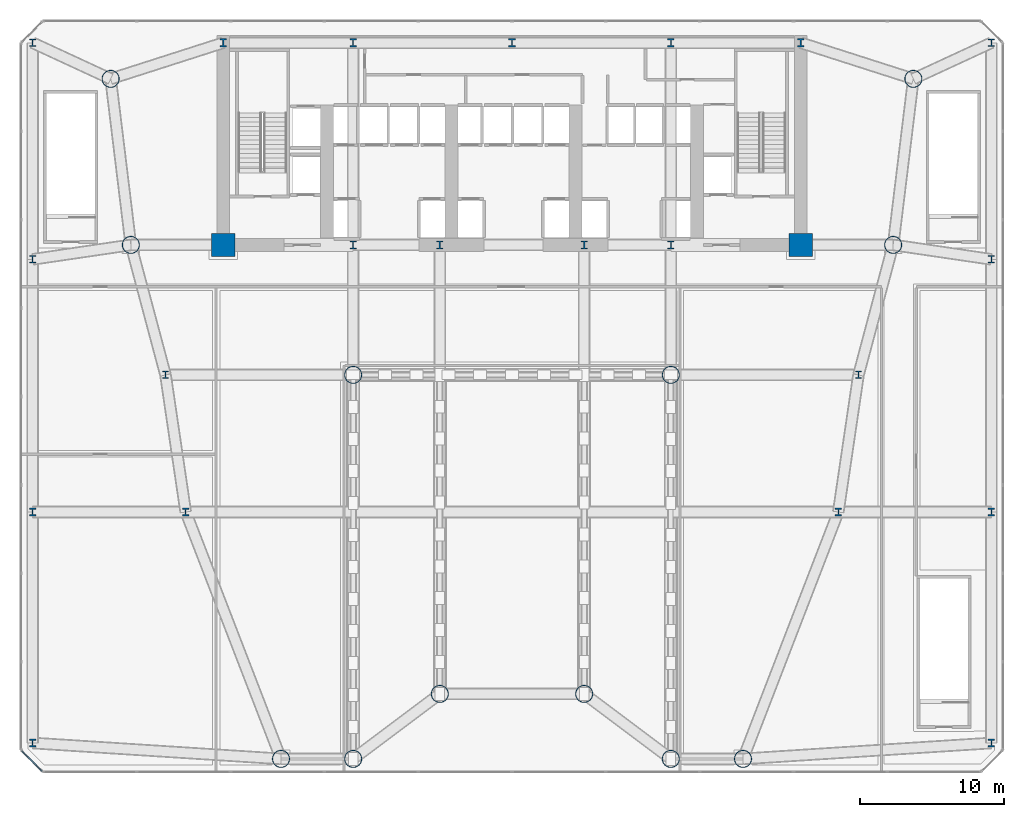
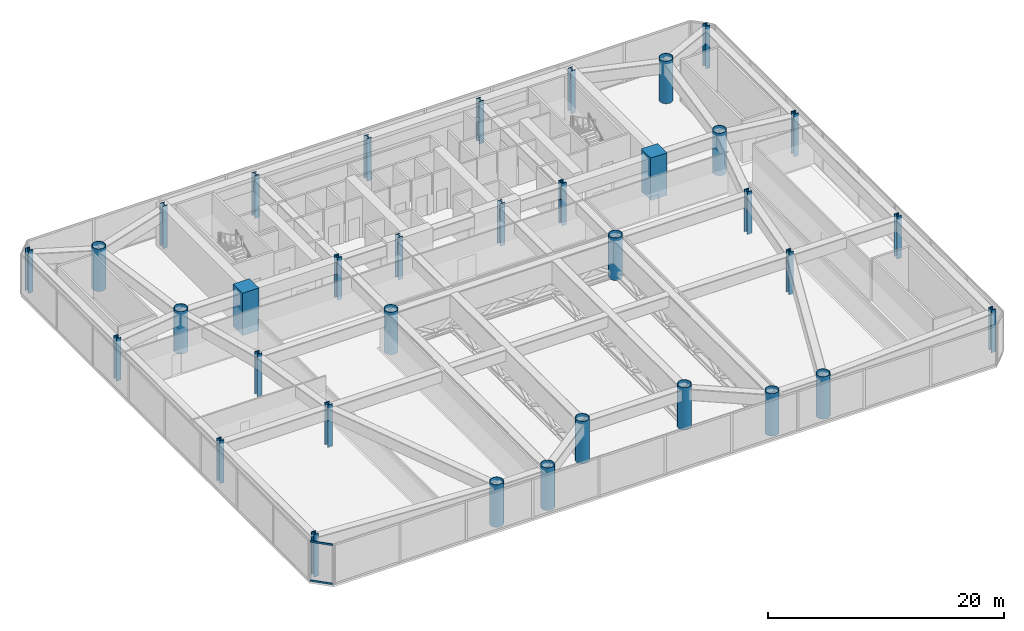
# One storey, part 1 of 21: 35 columns, 2 members, 1 element without a shape of its own.
"""IFC4 building model written with IfcOpenShell, lengths in metres."""

from ifc_helpers import new_model, si_unit, direction, frame, origin, origin_2d, place, context, subcontext, project, spatial, rectangle, hollow_circle, i_section, extrude, source, transform, mapped, material, layer, layer_set, material_profile, profile_set, type_object, element, aggregate, save


model = new_model("IFC4")

# Units and contexts
model_context = context("Model", 3, precision=1e-05, world=origin(), true_north=direction((0.0, 1.0)))
body_context = subcontext(model_context, "Body", "Model", "MODEL_VIEW")
ifc_project = project(units=[si_unit("LENGTHUNIT", "METRE"), si_unit("AREAUNIT", "SQUARE_METRE"), si_unit("VOLUMEUNIT", "CUBIC_METRE"), si_unit("PLANEANGLEUNIT", "RADIAN"), si_unit("MASSUNIT", "GRAM", prefix="KILO")], contexts=[model_context])

# Site, building, storey
site_placement = place(None, origin())
site = spatial("IfcSite", under=ifc_project, at=site_placement, CompositionType="ELEMENT")
building_placement = place(site_placement, origin())
building = spatial("IfcBuilding", under=site, at=building_placement, Name="Vaeldorn Concourse Tower", CompositionType="ELEMENT")
storey_placement = place(building_placement, frame((0.0, 0.0, 14.39990234375)))
storey = spatial("IfcBuildingStorey", under=building, at=storey_placement, Name="L03", CompositionType="ELEMENT", Elevation=14.39990234375)

# Columns
ifc_material_1 = material(Name="Concrete C60/75", Category="concrete")
ifc_material_profile_1 = material_profile(ifc_material_1, rectangle(XDim=1.60009765625, YDim=1.60009765625, at=origin_2d()), Name="RC 1600x1600")
ifc_profile_set_1 = profile_set([ifc_material_profile_1], Name="Concrete C60/75")
column_type_1 = type_object("IfcColumnType", Name="COL-RC1600", PredefinedType="COLUMN", material=ifc_profile_set_1)
shared_shape_1 = source(origin(), body_context, "Body", "SweptSolid", [
    extrude(rectangle(XDim=1.60009765625, YDim=1.60009765625, at=origin_2d()), origin(), (0.0, 0.0, 1.0), 4.400146484375),
])
for number, where, z_axis, x_axis, name in (
    (1, (14.0, 36.5, 0.0), (0.0, 0.0, 1.0), (1.0, 0.0, 0.0), "Column C-FC1 L03"),
    (2, (54.0, 36.5, 0.0), (0.0, 0.0, 1.0), (1.0, 0.0, 0.0), "Column C-FC6 L03"),
):
    element("IfcColumn", number, at=place(storey_placement, frame(where, z_axis=z_axis, x_axis=x_axis)), inside=storey, type_object=column_type_1, Name=name, PredefinedType="COLUMN", context=body_context, shape_type="MappedRepresentation", body=[
        mapped(shared_shape_1, transform((0.0, 0.0, 0.0), scale=1.0)),
    ])
ifc_material_2 = material(Name="Steel S460", Category="steel")
ifc_material_profile_2 = material_profile(ifc_material_2, i_section(OverallWidth=0.4541015625, OverallDepth=0.569091796875, WebThickness=0.077880859375, FlangeThickness=0.080078125, FilletRadius=0.014892578125, at=origin_2d()), Name="HD 400x1086")
ifc_profile_set_2 = profile_set([ifc_material_profile_2], Name="Steel S460")
column_type_2 = type_object("IfcColumnType", Name="COL-HD1086", PredefinedType="COLUMN", material=ifc_profile_set_2)
shared_shape_2 = source(origin(), body_context, "Body", "SweptSolid", [
    extrude(i_section(OverallWidth=0.4541015625, OverallDepth=0.569091796875, WebThickness=0.077880859375, FlangeThickness=0.080078125, FilletRadius=0.014892578125, at=origin_2d()), origin(), (0.0, 0.0, 1.0), 4.400146484375),
])
for number, where, z_axis, x_axis, name in (
    (3, (23.0, 36.5, 0.0), (0.0, 0.0, 1.0), (1.0, 0.0, 0.0), "Column C-FC2 L03"),
    (4, (29.0, 36.5, 0.0), (0.0, 0.0, 1.0), (1.0, 0.0, 0.0), "Column C-FC3 L03"),
    (5, (39.0, 36.5, 0.0), (0.0, 0.0, 1.0), (1.0, 0.0, 0.0), "Column C-FC4 L03"),
    (6, (45.0, 36.5, 0.0), (0.0, 0.0, 1.0), (1.0, 0.0, 0.0), "Column C-FC5 L03"),
    (7, (14.0, 50.5, 0.0), (0.0, 0.0, 1.0), (1.0, 0.0, 0.0), "Column C-HC1 L03"),
    (8, (23.0, 50.5, 0.0), (0.0, 0.0, 1.0), (1.0, 0.0, 0.0), "Column C-HC2 L03"),
    (9, (34.0, 50.5, 0.0), (0.0, 0.0, 1.0), (1.0, 0.0, 0.0), "Column C-HC3 L03"),
    (10, (45.0, 50.5, 0.0), (0.0, 0.0, 1.0), (1.0, 0.0, 0.0), "Column C-HC4 L03"),
    (11, (54.0, 50.5, 0.0), (0.0, 0.0, 1.0), (1.0, 0.0, 0.0), "Column C-HC5 L03"),
):
    element("IfcColumn", number, at=place(storey_placement, frame(where, z_axis=z_axis, x_axis=x_axis)), inside=storey, type_object=column_type_2, Name=name, PredefinedType="COLUMN", context=body_context, shape_type="MappedRepresentation", body=[
        mapped(shared_shape_2, transform((0.0, 0.0, 0.0), scale=1.0)),
    ])
ifc_material_profile_3 = material_profile(ifc_material_2, hollow_circle(Radius=0.609619140625, WallThickness=0.050048828125, at=origin_2d()), Name="CHS 1219x50")
ifc_profile_set_3 = profile_set([ifc_material_profile_3], Name="Steel S460")
column_type_3 = type_object("IfcColumnType", Name="COL-CHS1219", PredefinedType="COLUMN", material=ifc_profile_set_3)
shared_shape_3 = source(origin(), body_context, "Body", "SweptSolid", [
    extrude(hollow_circle(Radius=0.609619140625, WallThickness=0.050048828125, at=origin_2d()), origin(), (0.0, 0.0, 1.0), 4.400146484375),
])
for number, where, z_axis, x_axis, name in (
    (12, (6.199951171875, 48.0, 0.0), (0.0, 0.0, 1.0), (1.0, 0.0, 0.0), "Column C-NW1 L03"),
    (13, (7.60009765625, 36.5, 0.0), (0.0, 0.0, 1.0), (1.0, 0.0, 0.0), "Column C-NW2 L03"),
    (14, (61.800048828125, 48.0, 0.0), (0.0, 0.0, 1.0), (1.0, 0.0, 0.0), "Column C-NE1 L03"),
    (15, (60.39990234375, 36.5, 0.0), (0.0, 0.0, 1.0), (1.0, 0.0, 0.0), "Column C-NE2 L03"),
    (16, (18.0, 0.89990234375, 0.0), (0.0, 0.0, 1.0), (1.0, 0.0, 0.0), "Column C-SM1 L03"),
    (17, (23.0, 0.89990234375, 0.0), (0.0, 0.0, 1.0), (1.0, 0.0, 0.0), "Column C-SM2 L03"),
    (18, (29.0, 5.39990234375, 0.0), (0.0, 0.0, 1.0), (1.0, 0.0, 0.0), "Column C-SM3 L03"),
    (19, (39.0, 5.39990234375, 0.0), (0.0, 0.0, 1.0), (1.0, 0.0, 0.0), "Column C-SM4 L03"),
    (20, (45.0, 0.89990234375, 0.0), (0.0, 0.0, 1.0), (1.0, 0.0, 0.0), "Column C-SM5 L03"),
    (21, (50.0, 0.89990234375, 0.0), (0.0, 0.0, 1.0), (1.0, 0.0, 0.0), "Column C-SM6 L03"),
    (22, (23.0, 27.5, 0.0), (0.0, 0.0, 1.0), (1.0, 0.0, 0.0), "Column C-TW1 L03"),
    (23, (45.0, 27.5, 0.0), (0.0, 0.0, 1.0), (1.0, 0.0, 0.0), "Column C-TW4 L03"),
):
    element("IfcColumn", number, at=place(storey_placement, frame(where, z_axis=z_axis, x_axis=x_axis)), inside=storey, type_object=column_type_3, Name=name, PredefinedType="COLUMN", context=body_context, shape_type="MappedRepresentation", body=[
        mapped(shared_shape_3, transform((0.0, 0.0, 0.0), scale=1.0)),
    ])
ifc_material_profile_4 = material_profile(ifc_material_2, i_section(OverallWidth=0.44189453125, OverallDepth=0.531005859375, WebThickness=0.06494140625, FlangeThickness=0.075927734375, FilletRadius=0.014892578125, at=origin_2d()), Name="HD 400x900")
ifc_profile_set_4 = profile_set([ifc_material_profile_4], Name="Steel S460")
column_type_4 = type_object("IfcColumnType", Name="COL-HD900F", PredefinedType="COLUMN", material=ifc_profile_set_4)
shared_shape_4 = source(origin(), body_context, "Body", "SweptSolid", [
    extrude(i_section(OverallWidth=0.44189453125, OverallDepth=0.531005859375, WebThickness=0.06494140625, FlangeThickness=0.075927734375, FilletRadius=0.014892578125, at=origin_2d()), origin(), (0.0, 0.0, 1.0), 4.400146484375),
])
for number, where, z_axis, x_axis, name in (
    (24, (0.800048828125, 2.0, 0.0), (0.0, 0.0, 1.0), (1.0, 0.0, 0.0), "Column C-PW1 L03"),
    (25, (0.800048828125, 18.0, 0.0), (0.0, 0.0, 1.0), (1.0, 0.0, 0.0), "Column C-PW2 L03"),
    (26, (0.800048828125, 35.5, 0.0), (0.0, 0.0, 1.0), (1.0, 0.0, 0.0), "Column C-PW3 L03"),
    (27, (0.800048828125, 50.5, 0.0), (0.0, 0.0, 1.0), (1.0, 0.0, 0.0), "Column C-PW4 L03"),
    (28, (67.199951171875, 2.0, 0.0), (0.0, 0.0, 1.0), (1.0, 0.0, 0.0), "Column C-PE1 L03"),
    (29, (67.199951171875, 18.0, 0.0), (0.0, 0.0, 1.0), (1.0, 0.0, 0.0), "Column C-PE2 L03"),
    (30, (67.199951171875, 35.5, 0.0), (0.0, 0.0, 1.0), (1.0, 0.0, 0.0), "Column C-PE3 L03"),
    (31, (67.199951171875, 50.5, 0.0), (0.0, 0.0, 1.0), (1.0, 0.0, 0.0), "Column C-PE4 L03"),
    (32, (10.0, 27.5, 0.0), (0.0, 0.0, 1.0), (1.0, 0.0, 0.0), "Column C-FLW1 L03"),
    (33, (11.39990234375, 18.0, 0.0), (0.0, 0.0, 1.0), (1.0, 0.0, 0.0), "Column C-FLW2 L03"),
    (34, (58.0, 27.5, 0.0), (0.0, 0.0, 1.0), (1.0, 0.0, 0.0), "Column C-FLE1 L03"),
    (35, (56.60009765625, 18.0, 0.0), (0.0, 0.0, 1.0), (1.0, 0.0, 0.0), "Column C-FLE2 L03"),
):
    element("IfcColumn", number, at=place(storey_placement, frame(where, z_axis=z_axis, x_axis=x_axis)), inside=storey, type_object=column_type_4, Name=name, PredefinedType="COLUMN", context=body_context, shape_type="MappedRepresentation", body=[
        mapped(shared_shape_4, transform((0.0, 0.0, 0.0), scale=1.0)),
    ])

# Curtain wall, members
ifc_material_3 = material(Name="Anodised Bronze Aluminium", Category="aluminium")
ifc_layer = layer(ifc_material_3, 0.239990234375)
ifc_layer_set = layer_set([ifc_layer], Name="Anodised Bronze Aluminium")
curtain_wall_type = type_object("IfcCurtainWallType", Name="CW-SYS-04", PredefinedType="NOTDEFINED", material=ifc_layer_set)
curtain_wall_placement = place(storey_placement, origin())
curtain_wall = element("IfcCurtainWall", 36, at=curtain_wall_placement, inside=storey, type_object=curtain_wall_type, Name="Unitised Curtain Wall CW-L03-E08-1", PredefinedType="NOTDEFINED")
ifc_material_profile_5 = material_profile(ifc_material_3, rectangle(XDim=0.074951171875, YDim=0.179931640625, at=origin_2d()), Name="CWT 75x180")
ifc_profile_set_5 = profile_set([ifc_material_profile_5], Name="Anodised Bronze Aluminium")
member_type = type_object("IfcMemberType", Name="CWT-BRONZE-180", PredefinedType="USERDEFINED", material=ifc_profile_set_5)
shared_shape_5 = source(origin(), body_context, "Body", "SweptSolid", [
    extrude(rectangle(XDim=0.074951171875, YDim=0.179931640625, at=origin_2d()), origin(), (0.0, 0.0, 1.0), 1.971435546875),
])
member_1_placement = place(storey_placement, frame((0.052978515625, 1.447021484375, 0.03759765625), z_axis=(0.707106781187, -0.707106781187, 0.0), x_axis=(0.707106781187, 0.707106781187, 0.0)))
member_1 = element("IfcMember", 37, at=member_1_placement, type_object=member_type, Name="CW-04 transom 1.1", ObjectType="TRANSOM", PredefinedType="USERDEFINED", context=body_context, shape_type="MappedRepresentation", body=[
    mapped(shared_shape_5, transform((0.0, 0.0, 0.0), scale=1.0)),
])
member_2_placement = place(storey_placement, frame((0.052978515625, 1.447021484375, 4.08251953125), z_axis=(0.707106781187, -0.707106781187, 0.0), x_axis=(0.707106781187, 0.707106781187, 0.0)))
member_2 = element("IfcMember", 38, at=member_2_placement, type_object=member_type, Name="CW-04 transom 1.2", ObjectType="TRANSOM", PredefinedType="USERDEFINED", context=body_context, shape_type="MappedRepresentation", body=[
    mapped(shared_shape_5, transform((0.0, 0.0, 0.0), scale=1.0)),
])
aggregate(curtain_wall, [member_1, member_2])

save(model, "model.ifc")
